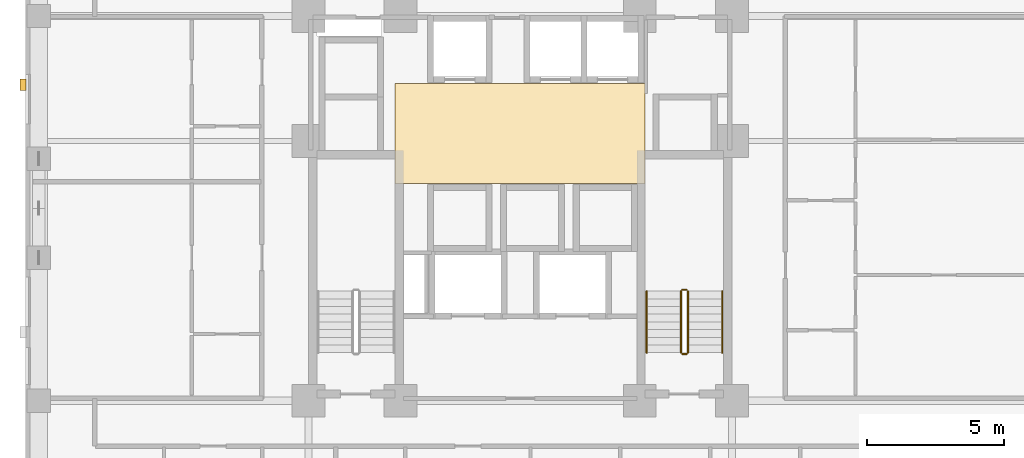
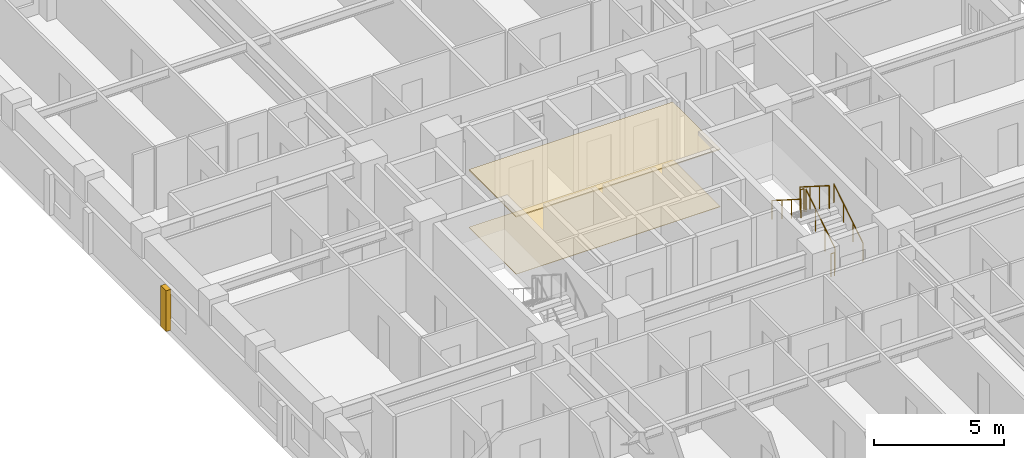
# One storey, part 13 of 14: 6 railings, 3 coverings.
"""IFC4 building model written with IfcOpenShell, lengths in metres."""

from ifc_helpers import new_model, si_unit, derived_unit, direction, frame, origin, origin_2d, place, context, subcontext, project, spatial, polyline, rectangle, circle, outline, extrude, material, layer, layer_set, type_object, element, save


model = new_model("IFC4")

# Units and contexts
model_context = context("Model", 3, precision=1e-05, world=origin(), true_north=direction((0.0, 1.0)))
body_context = subcontext(model_context, "Body", "Model", "MODEL_VIEW")
ifc_project = project(units=[si_unit("LENGTHUNIT", "METRE"), si_unit("AREAUNIT", "SQUARE_METRE"), si_unit("VOLUMEUNIT", "CUBIC_METRE"), si_unit("PLANEANGLEUNIT", "RADIAN"), si_unit("MASSUNIT", "GRAM", prefix="KILO"), derived_unit("THERMALTRANSMITTANCEUNIT", [(si_unit("MASSUNIT", "GRAM", prefix="KILO"), 1), (si_unit("TIMEUNIT", "SECOND"), -3), (si_unit("THERMODYNAMICTEMPERATUREUNIT", "KELVIN"), -1)])], contexts=[model_context])

# Site, building, storey
site_placement = place(None, origin())
site = spatial("IfcSite", under=ifc_project, at=site_placement, CompositionType="ELEMENT")
building_placement = place(site_placement, origin())
building = spatial("IfcBuilding", under=site, at=building_placement, Name="Korrvale Station Residences", CompositionType="ELEMENT")
storey_placement = place(building_placement, frame((0.0, 0.0, 64.199951171875)))
storey = spatial("IfcBuildingStorey", under=building, at=storey_placement, Name="L17", CompositionType="ELEMENT", Elevation=64.199951171875)

# Coverings
ifc_material_1 = material(Name="Perforated acoustic mineral-fibre suspended ceiling", Category="gypsum")
ifc_layer_1 = layer(ifc_material_1, 0.050048828125, Name="Perforated acoustic mineral-fibre suspended ceiling")
ifc_layer_set_1 = layer_set([ifc_layer_1], Name="Perforated acoustic mineral-fibre suspended ceiling")
covering_type_1 = type_object("IfcCoveringType", Name="COV-CLG-AC60", PredefinedType="CEILING", material=ifc_layer_set_1)
covering_1_placement = place(storey_placement, frame((0.0, 0.0, 2.68994140625)))
element("IfcCovering", 1, at=covering_1_placement, inside=storey, type_object=covering_type_1, Name="L17 Elevator Lobby Acoustic Ceiling", PredefinedType="CEILING", context=body_context, shape_type="SweptSolid", body=[
    extrude(outline(polyline([(20.949951171875, 22.89990234375), (30.050048828125, 22.89990234375), (30.050048828125, 26.550048828125), (20.949951171875, 26.550048828125), (20.949951171875, 22.89990234375)])), origin(), (0.0, 0.0, 1.0), 0.050048828125),
])
ifc_material_2 = material(Name="Polished quartz-terrazzo lobby flooring", Category="masonry")
ifc_layer_2 = layer(ifc_material_2, 0.02001953125, Name="Polished quartz-terrazzo lobby flooring")
ifc_layer_set_2 = layer_set([ifc_layer_2], Name="Polished quartz-terrazzo lobby flooring")
covering_type_2 = type_object("IfcCoveringType", Name="COV-FLR-TER20", PredefinedType="FLOORING", material=ifc_layer_set_2)
covering_2_placement = place(storey_placement, origin())
element("IfcCovering", 2, at=covering_2_placement, inside=storey, type_object=covering_type_2, Name="L17 Elevator Lobby Terrazzo Flooring", PredefinedType="FLOORING", context=body_context, shape_type="SweptSolid", body=[
    extrude(outline(polyline([(20.949951171875, 22.89990234375), (30.050048828125, 22.89990234375), (30.050048828125, 26.550048828125), (20.949951171875, 26.550048828125), (20.949951171875, 22.89990234375)])), origin(), (0.0, 0.0, 1.0), 0.02001953125),
])
ifc_material_3 = material(Name="Architectural precast concrete C45/55", Category="concrete")
ifc_layer_3 = layer(ifc_material_3, 0.219970703125, Name="Architectural precast concrete C45/55")
ifc_layer_set_3 = layer_set([ifc_layer_3], Name="Architectural precast concrete C45/55")
covering_type_3 = type_object("IfcCoveringType", Name="COV-PIER-400", PredefinedType="CLADDING", material=ifc_layer_set_3)
covering_3_placement = place(storey_placement, frame((7.409912109375, 26.5, 0.02490234375), z_axis=(0.0, 0.0, 1.0), x_axis=(0.0, 1.0, 0.0)))
element("IfcCovering", 3, at=covering_3_placement, inside=storey, type_object=covering_type_3, Name="L17 Architectural Precast Facade Pier 14", PredefinedType="CLADDING", context=body_context, shape_type="SweptSolid", body=[
    extrude(rectangle(XDim=0.419921875, YDim=0.219970703125, at=origin_2d()), origin(), (0.0, 0.0, 1.0), 1.925048828125),
])

# Railings
ifc_material_4 = material(Name="Brushed stainless-steel continuous stair handrail", Category="steel")
railing_type_1 = type_object("IfcRailingType", Name="RLG-SHND-900", PredefinedType="HANDRAIL", material=ifc_material_4)
railing_1_placement = place(storey_placement, frame((32.85009765625, 16.75, 0.177734375)))
element("IfcRailing", 4, at=railing_1_placement, inside=storey, type_object=railing_type_1, Name="L17 ST-2 stair handrail 1", PredefinedType="HANDRAIL", context=body_context, shape_type="SweptSolid", body=[
    extrude(circle(Radius=0.02392578125, at=origin_2d()), frame((0.0, 0.0, 0.8759765625), z_axis=(0.0, 0.84418770128, 0.536047689118), x_axis=(-1.0, 0.0, 0.0)), (0.0, 0.0, 1.0), 2.6533203125),
    extrude(circle(Radius=0.02099609375, at=origin_2d()), origin(), (0.0, 0.0, 1.0), 0.851806640625),
    extrude(circle(Radius=0.02099609375, at=origin_2d()), frame((0.0, 0.74658203125, 0.47412109375)), (0.0, 0.0, 1.0), 0.851806640625),
    extrude(circle(Radius=0.02099609375, at=origin_2d()), frame((0.0, 1.493408203125, 0.9482421875)), (0.0, 0.0, 1.0), 0.851806640625),
    extrude(circle(Radius=0.02099609375, at=origin_2d()), frame((0.0, 2.239990234375, 1.42236328125)), (0.0, 0.0, 1.0), 0.851806640625),
])
railing_2_placement = place(storey_placement, frame((30.10009765625, 18.989990234375, 1.77783203125)))
element("IfcRailing", 5, at=railing_2_placement, inside=storey, type_object=railing_type_1, Name="L17 ST-2 stair handrail 2", PredefinedType="HANDRAIL", context=body_context, shape_type="SweptSolid", body=[
    extrude(circle(Radius=0.02392578125, at=origin_2d()), frame((0.0, 0.0, 0.8759765625), z_axis=(0.0, -0.8442293374, 0.53598211339), x_axis=(1.0, 0.0, 0.0)), (0.0, 0.0, 1.0), 2.6533203125),
    extrude(circle(Radius=0.02099609375, at=origin_2d()), origin(), (0.0, 0.0, 1.0), 0.851806640625),
    extrude(circle(Radius=0.02099609375, at=origin_2d()), frame((0.0, -0.74658203125, 0.47412109375)), (0.0, 0.0, 1.0), 0.851806640625),
    extrude(circle(Radius=0.02099609375, at=origin_2d()), frame((0.0, -1.493408203125, 0.947998046875)), (0.0, 0.0, 1.0), 0.851806640625),
    extrude(circle(Radius=0.02099609375, at=origin_2d()), frame((0.0, -2.239990234375, 1.422119140625)), (0.0, 0.0, 1.0), 0.851806640625),
])
ifc_material_5 = material(Name="Galvanised painted tubular steel stair guard", Category="steel")
railing_type_2 = type_object("IfcRailingType", Name="RLG-STR-1100", PredefinedType="GUARDRAIL", material=ifc_material_5)
railing_3_placement = place(storey_placement, frame((31.60009765625, 16.75, 0.177734375)))
element("IfcRailing", 6, at=railing_3_placement, inside=storey, type_object=railing_type_2, Name="L17 ST-2 stair guard 1", PredefinedType="GUARDRAIL", context=body_context, shape_type="SweptSolid", body=[
    extrude(circle(Radius=0.02392578125, at=origin_2d()), frame((0.0, 0.0, 1.076171875), z_axis=(0.0, 0.84418770128, 0.536047689118), x_axis=(-1.0, 0.0, 0.0)), (0.0, 0.0, 1.0), 2.6533203125),
    extrude(circle(Radius=0.02099609375, at=origin_2d()), origin(), (0.0, 0.0, 1.0), 1.052001953125),
    extrude(circle(Radius=0.02099609375, at=origin_2d()), frame((0.0, 0.74658203125, 0.47412109375)), (0.0, 0.0, 1.0), 1.052001953125),
    extrude(circle(Radius=0.02099609375, at=origin_2d()), frame((0.0, 1.493408203125, 0.9482421875)), (0.0, 0.0, 1.0), 1.052001953125),
    extrude(circle(Radius=0.02099609375, at=origin_2d()), frame((0.0, 2.239990234375, 1.42236328125)), (0.0, 0.0, 1.0), 1.052001953125),
])
railing_4_placement = place(storey_placement, frame((31.550048828125, 19.0400390625, 1.60009765625)))
element("IfcRailing", 7, at=railing_4_placement, inside=storey, type_object=railing_type_2, Name="L17 ST-2 stair guard 2", PredefinedType="GUARDRAIL", context=body_context, shape_type="SweptSolid", body=[
    extrude(circle(Radius=0.02392578125, at=origin_2d()), frame((0.0, 0.0, 1.076171875), z_axis=(-1.0, 0.0, 0.0), x_axis=(0.0, -1.0, 0.0)), (0.0, 0.0, 1.0), 0.150146484375),
    extrude(circle(Radius=0.02099609375, at=origin_2d()), origin(), (0.0, 0.0, 1.0), 1.052001953125),
    extrude(circle(Radius=0.02099609375, at=origin_2d()), frame((-0.150146484375, 0.0, 0.0)), (0.0, 0.0, 1.0), 1.052001953125),
])
railing_5_placement = place(storey_placement, frame((31.35009765625, 18.989990234375, 1.77783203125)))
element("IfcRailing", 8, at=railing_5_placement, inside=storey, type_object=railing_type_2, Name="L17 ST-2 stair guard 3", PredefinedType="GUARDRAIL", context=body_context, shape_type="SweptSolid", body=[
    extrude(circle(Radius=0.02392578125, at=origin_2d()), frame((0.0, 0.0, 1.076171875), z_axis=(0.0, -0.8442293374, 0.53598211339), x_axis=(1.0, 0.0, 0.0)), (0.0, 0.0, 1.0), 2.6533203125),
    extrude(circle(Radius=0.02099609375, at=origin_2d()), origin(), (0.0, 0.0, 1.0), 1.052001953125),
    extrude(circle(Radius=0.02099609375, at=origin_2d()), frame((0.0, -0.74658203125, 0.47412109375)), (0.0, 0.0, 1.0), 1.052001953125),
    extrude(circle(Radius=0.02099609375, at=origin_2d()), frame((0.0, -1.493408203125, 0.947998046875)), (0.0, 0.0, 1.0), 1.052001953125),
    extrude(circle(Radius=0.02099609375, at=origin_2d()), frame((0.0, -2.239990234375, 1.422119140625)), (0.0, 0.0, 1.0), 1.052001953125),
])
railing_6_placement = place(storey_placement, frame((31.550048828125, 16.699951171875, 0.0)))
element("IfcRailing", 9, at=railing_6_placement, inside=storey, type_object=railing_type_2, Name="L17 ST-2 stair guard 4", PredefinedType="GUARDRAIL", context=body_context, shape_type="SweptSolid", body=[
    extrude(circle(Radius=0.02392578125, at=origin_2d()), frame((0.0, 0.0, 1.076171875), z_axis=(-1.0, 0.0, 0.0), x_axis=(0.0, -1.0, 0.0)), (0.0, 0.0, 1.0), 0.150146484375),
    extrude(circle(Radius=0.02099609375, at=origin_2d()), origin(), (0.0, 0.0, 1.0), 1.052001953125),
    extrude(circle(Radius=0.02099609375, at=origin_2d()), frame((-0.150146484375, 0.0, 0.0)), (0.0, 0.0, 1.0), 1.052001953125),
])

save(model, "model.ifc")
